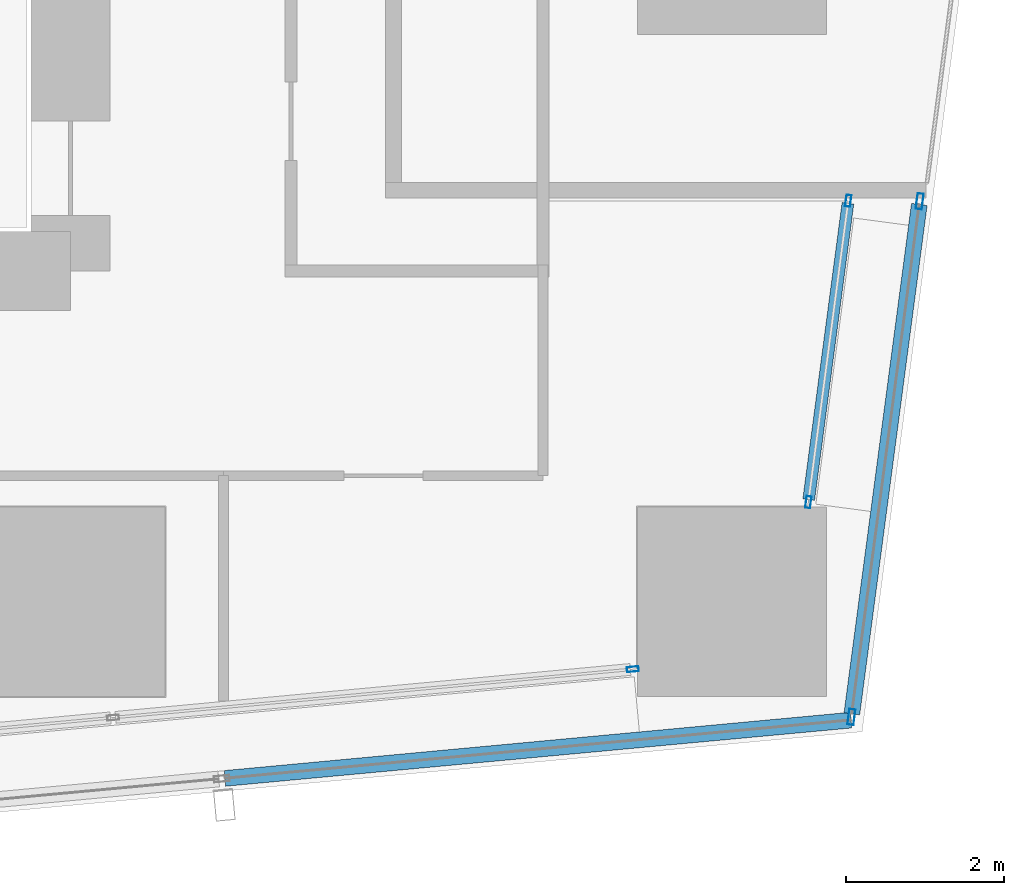
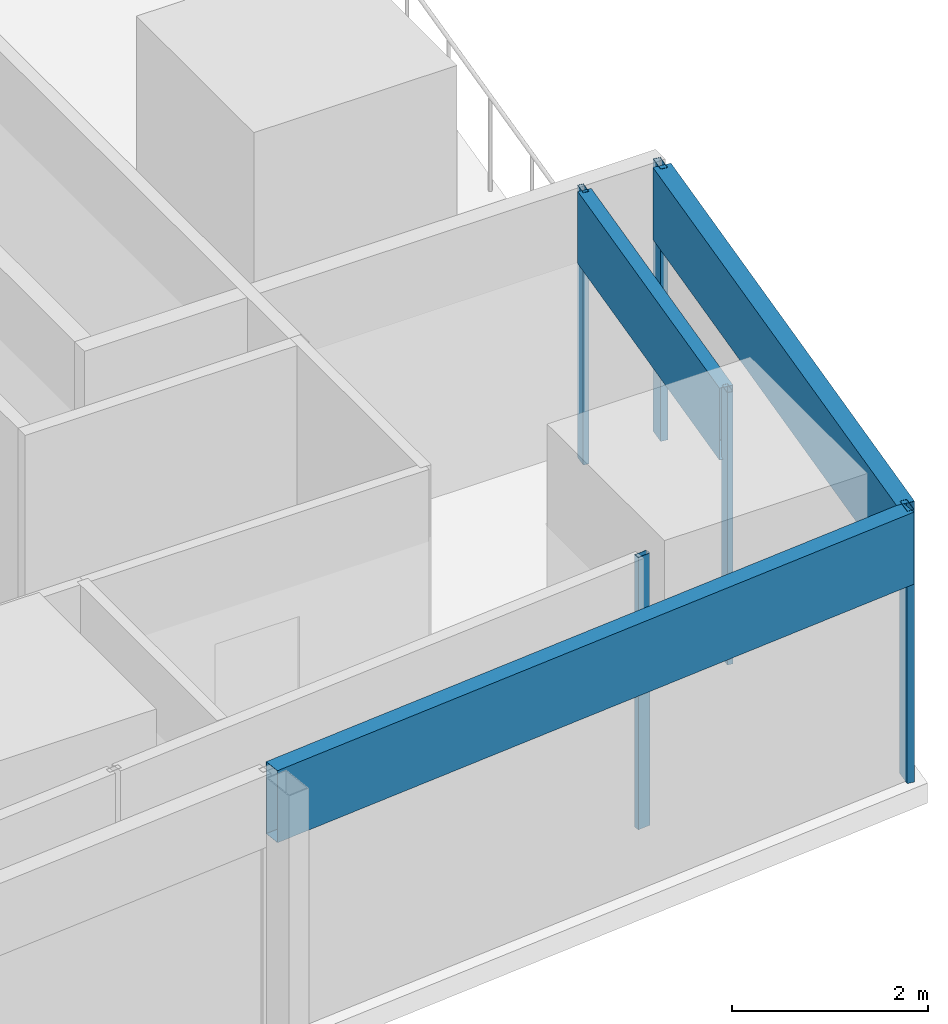
# One storey, part 10 of 34: 8 members, 4 elements without a shape of their own.
"""IFC4 building model written with IfcOpenShell, lengths in metres."""

from ifc_helpers import new_model, si_unit, direction, frame, origin, origin_2d, place, context, subcontext, project, spatial, hollow_rectangle, extrude, material, material_profile, profile_set, type_object, element, aggregate, save


model = new_model("IFC4")

# Units and contexts
model_context = context("Model", 3, precision=1e-05, world=origin(), true_north=direction((0.0, 1.0)))
body_context = subcontext(model_context, "Body", "Model", "MODEL_VIEW")
ifc_project = project(units=[si_unit("LENGTHUNIT", "METRE"), si_unit("AREAUNIT", "SQUARE_METRE"), si_unit("VOLUMEUNIT", "CUBIC_METRE"), si_unit("PLANEANGLEUNIT", "RADIAN"), si_unit("MASSUNIT", "GRAM", prefix="KILO")], contexts=[model_context])

# Site, building, storey
site_placement = place(None, origin())
site = spatial("IfcSite", under=ifc_project, at=site_placement, CompositionType="ELEMENT")
building_placement = place(site_placement, origin())
building = spatial("IfcBuilding", under=site, at=building_placement, Name="Rekha Terrace Tower", CompositionType="ELEMENT")
storey_placement = place(building_placement, frame((0.0, 0.0, 236.449951171875)))
storey = spatial("IfcBuildingStorey", under=building, at=storey_placement, Name="L60", CompositionType="ELEMENT", Elevation=236.449951171875)

# Curtain wall, member
ifc_material_1 = material(Name="Aluminium framing", Category="aluminium")
curtain_wall_type_1 = type_object("IfcCurtainWallType", Name="CW1 double skin inner glazing", PredefinedType="USERDEFINED", material=ifc_material_1)
curtain_wall_1_placement = place(storey_placement, origin())
curtain_wall_1 = element("IfcCurtainWall", 1, at=curtain_wall_1_placement, inside=storey, type_object=curtain_wall_type_1, Name="CW1 double skin inner glazing", ObjectType="DOUBLE SKIN INNER GLAZING", PredefinedType="USERDEFINED")
ifc_material_2 = material(Name="Aluminium mullion section", Category="aluminium")
ifc_material_profile_1 = material_profile(ifc_material_2, hollow_rectangle(XDim=0.06494140625, YDim=0.14990234375, WallThickness=0.00390625, at=origin_2d()), Name="AL RHS 65x150")
ifc_profile_set_1 = profile_set([ifc_material_profile_1], Name="Aluminium mullion section")
member_type_1 = type_object("IfcMemberType", Name="CW1 mullion RHS 65 x 150", PredefinedType="MULLION", material=ifc_profile_set_1)
member_1_placement = place(storey_placement, frame((57.538818359375, 15.943603515625, 0.0), z_axis=(0.0, 0.0, 1.0), x_axis=(-0.092708869546, 0.995693258744, 0.0)))
member_1 = element("IfcMember", 2, at=member_1_placement, type_object=member_type_1, Name="CW1 mullion 3", PredefinedType="MULLION", context=body_context, shape_type="SweptSolid", body=[
    extrude(hollow_rectangle(XDim=0.06494140625, YDim=0.14990234375, WallThickness=0.00390625, at=origin_2d()), origin(), (0.0, 0.0, 1.0), 3.400146484375),
])
aggregate(curtain_wall_1, [member_1])

# Curtain wall, members
curtain_wall_2_placement = place(storey_placement, origin())
curtain_wall_2 = element("IfcCurtainWall", 3, at=curtain_wall_2_placement, inside=storey, type_object=curtain_wall_type_1, Name="CW1 double skin inner glazing", ObjectType="DOUBLE SKIN INNER GLAZING", PredefinedType="USERDEFINED")
member_2_placement = place(storey_placement, frame((59.766845703125, 18.064453125, 0.0), z_axis=(0.0, 0.0, 1.0), x_axis=(-0.991342203191, 0.131303603041, 0.0)))
member_2 = element("IfcMember", 4, at=member_2_placement, type_object=member_type_1, Name="CW1 mullion 1", PredefinedType="MULLION", context=body_context, shape_type="SweptSolid", body=[
    extrude(hollow_rectangle(XDim=0.06494140625, YDim=0.14990234375, WallThickness=0.00390625, at=origin_2d()), origin(), (0.0, 0.0, 1.0), 3.400146484375),
])
member_3_placement = place(storey_placement, frame((60.2734375, 21.889892578125, 0.0), z_axis=(0.0, 0.0, 1.0), x_axis=(-0.991342203191, 0.131303603041, 0.0)))
member_3 = element("IfcMember", 5, at=member_3_placement, type_object=member_type_1, Name="CW1 mullion 2", PredefinedType="MULLION", context=body_context, shape_type="SweptSolid", body=[
    extrude(hollow_rectangle(XDim=0.06494140625, YDim=0.14990234375, WallThickness=0.00390625, at=origin_2d()), origin(), (0.0, 0.0, 1.0), 3.400146484375),
])
ifc_material_3 = material(Name="Insulated aluminium spandrel box", Category="aluminium")
ifc_material_profile_2 = material_profile(ifc_material_3, hollow_rectangle(XDim=0.14990234375, YDim=0.89990234375, WallThickness=0.0029296875, at=origin_2d()), Name="AL SPANDREL BOX 150x900")
ifc_profile_set_2 = profile_set([ifc_material_profile_2], Name="Insulated aluminium spandrel box")
member_type_2 = type_object("IfcMemberType", Name="CW1 spandrel transom 150 x 900", PredefinedType="USERDEFINED", material=ifc_profile_set_2)
member_4_placement = place(storey_placement, frame((59.77099609375, 18.0966796875, 2.949951171875), z_axis=(0.131278473471, 0.991345531287, 0.0), x_axis=(-0.991345531287, 0.131278473471, 0.0)))
member_4 = element("IfcMember", 6, at=member_4_placement, type_object=member_type_2, Name="CW1 spandrel transom 1", ObjectType="TRANSOM", PredefinedType="USERDEFINED", context=body_context, shape_type="SweptSolid", body=[
    extrude(hollow_rectangle(XDim=0.14990234375, YDim=0.89990234375, WallThickness=0.0029296875, at=origin_2d()), origin(), (0.0, 0.0, 1.0), 3.793701171875),
])
aggregate(curtain_wall_2, [member_2, member_3, member_4])

curtain_wall_type_2 = type_object("IfcCurtainWallType", Name="CW2 double skin outer glazing", PredefinedType="USERDEFINED", material=ifc_material_1)
curtain_wall_3_placement = place(storey_placement, origin())
curtain_wall_3 = element("IfcCurtainWall", 7, at=curtain_wall_3_placement, inside=storey, type_object=curtain_wall_type_2, Name="CW2 double skin outer glazing", ObjectType="DOUBLE SKIN OUTER GLAZING", PredefinedType="USERDEFINED")
ifc_material_profile_3 = material_profile(ifc_material_2, hollow_rectangle(XDim=0.080078125, YDim=0.199951171875, WallThickness=0.00390625, at=origin_2d()), Name="AL RHS 80x200")
ifc_profile_set_3 = profile_set([ifc_material_profile_3], Name="Aluminium mullion section")
member_type_3 = type_object("IfcMemberType", Name="CW2 mullion RHS 80 x 200", PredefinedType="MULLION", material=ifc_profile_set_3)
member_5_placement = place(storey_placement, frame((60.3134765625, 15.337158203125, 0.0), z_axis=(0.0, 0.0, 1.0), x_axis=(-0.991342203182, 0.13130360311, 0.0)))
member_5 = element("IfcMember", 8, at=member_5_placement, type_object=member_type_3, Name="CW2 mullion 1", PredefinedType="MULLION", context=body_context, shape_type="SweptSolid", body=[
    extrude(hollow_rectangle(XDim=0.080078125, YDim=0.199951171875, WallThickness=0.00390625, at=origin_2d()), origin(), (0.0, 0.0, 1.0), 3.400146484375),
])
member_6_placement = place(storey_placement, frame((61.180419921875, 21.88232421875, 0.0), z_axis=(0.0, 0.0, 1.0), x_axis=(-0.991342203182, 0.13130360311, 0.0)))
member_6 = element("IfcMember", 9, at=member_6_placement, type_object=member_type_3, Name="CW2 mullion 2", PredefinedType="MULLION", context=body_context, shape_type="SweptSolid", body=[
    extrude(hollow_rectangle(XDim=0.080078125, YDim=0.199951171875, WallThickness=0.00390625, at=origin_2d()), origin(), (0.0, 0.0, 1.0), 3.400146484375),
])

# Curtain wall, member
curtain_wall_4_placement = place(storey_placement, origin())
curtain_wall_4 = element("IfcCurtainWall", 10, at=curtain_wall_4_placement, inside=storey, type_object=curtain_wall_type_2, Name="CW2 double skin outer glazing", ObjectType="DOUBLE SKIN OUTER GLAZING", PredefinedType="USERDEFINED")
ifc_material_profile_4 = material_profile(ifc_material_3, hollow_rectangle(XDim=0.199951171875, YDim=0.89990234375, WallThickness=0.0029296875, at=origin_2d()), Name="AL SPANDREL BOX 200x900")
ifc_profile_set_4 = profile_set([ifc_material_profile_4], Name="Insulated aluminium spandrel box")
member_type_4 = type_object("IfcMemberType", Name="CW2 spandrel transom 200 x 900", PredefinedType="USERDEFINED", material=ifc_profile_set_4)
member_7_placement = place(storey_placement, frame((52.36181640625, 14.5576171875, 2.949951171875), z_axis=(0.99569478362, 0.092692490917, 0.0), x_axis=(-0.092692490917, 0.99569478362, 0.0)))
member_7 = element("IfcMember", 11, at=member_7_placement, type_object=member_type_4, Name="CW2 spandrel transom 2", ObjectType="TRANSOM", PredefinedType="USERDEFINED", context=body_context, shape_type="SweptSolid", body=[
    extrude(hollow_rectangle(XDim=0.199951171875, YDim=0.89990234375, WallThickness=0.0029296875, at=origin_2d()), origin(), (0.0, 0.0, 1.0), 7.980712890625),
])
aggregate(curtain_wall_4, [member_7])

# Member
member_8_placement = place(storey_placement, frame((60.318603515625, 15.376708984375, 2.949951171875), z_axis=(0.131305551945, 0.991341945057, 0.0), x_axis=(-0.991341945057, 0.131305551945, 0.0)))
member_8 = element("IfcMember", 12, at=member_8_placement, type_object=member_type_4, Name="CW2 spandrel transom 1", ObjectType="TRANSOM", PredefinedType="USERDEFINED", context=body_context, shape_type="SweptSolid", body=[
    extrude(hollow_rectangle(XDim=0.199951171875, YDim=0.89990234375, WallThickness=0.0029296875, at=origin_2d()), origin(), (0.0, 0.0, 1.0), 6.5224609375),
])

aggregate(curtain_wall_3, [member_5, member_6, member_8])

save(model, "model.ifc")
